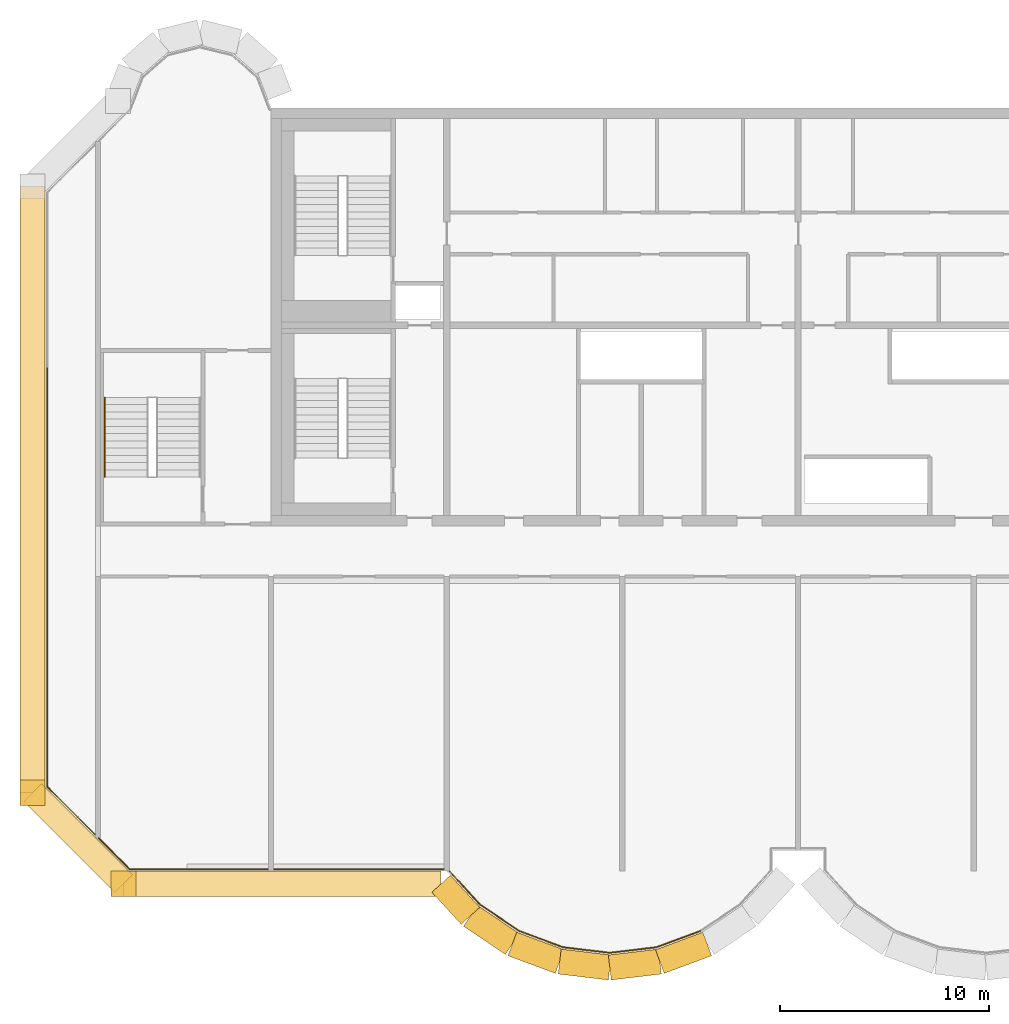
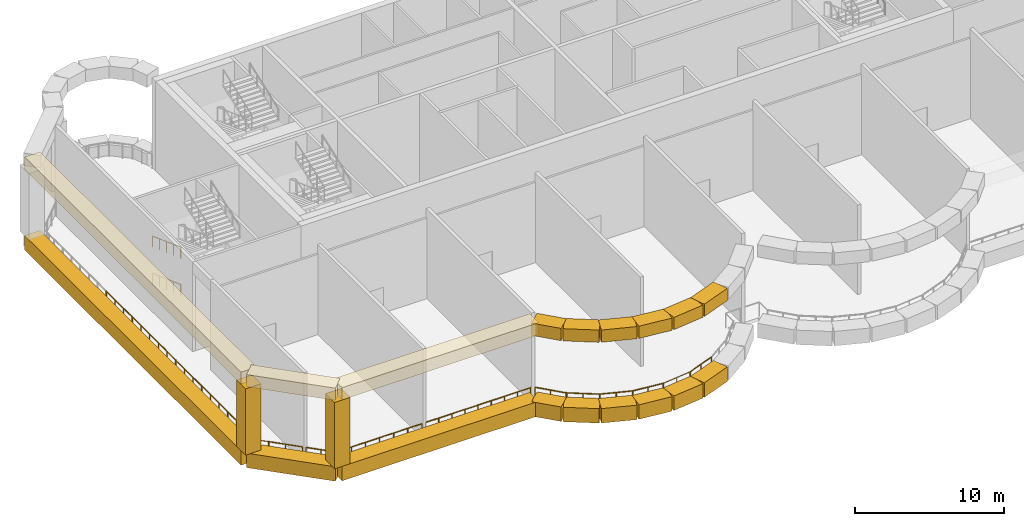
# One storey, part 6 of 11: 26 railings, 20 coverings.
"""IFC4 building model written with IfcOpenShell, lengths in metres."""

from ifc_helpers import new_model, si_unit, direction, frame, origin, origin_2d, place, context, subcontext, project, spatial, rectangle, circle, extrude, source, transform, mapped, material, type_object, element, save


model = new_model("IFC4")

# Units and contexts
model_context = context("Model", 3, precision=1e-05, world=origin(), true_north=direction((0.0, 1.0)))
body_context = subcontext(model_context, "Body", "Model", "MODEL_VIEW")
ifc_project = project(units=[si_unit("LENGTHUNIT", "METRE"), si_unit("AREAUNIT", "SQUARE_METRE"), si_unit("VOLUMEUNIT", "CUBIC_METRE"), si_unit("PLANEANGLEUNIT", "RADIAN"), si_unit("MASSUNIT", "GRAM", prefix="KILO")], contexts=[model_context])

# Site, building, storey
site_placement = place(None, origin())
site = spatial("IfcSite", under=ifc_project, at=site_placement, CompositionType="ELEMENT")
building_placement = place(site_placement, origin())
building = spatial("IfcBuilding", under=site, at=building_placement, Name="Vanashikhar Sky Hotel", CompositionType="ELEMENT")
storey_placement = place(building_placement, frame((0.0, 0.0, 270.10009765625)))
storey = spatial("IfcBuildingStorey", under=building, at=storey_placement, Name="L65", CompositionType="ELEMENT", Elevation=270.10009765625)

# Coverings
ifc_material_1 = material(Name="Concrete M60 dark", Category="concrete")
covering_type = type_object("IfcCoveringType", Name="Wind floor portal frame", PredefinedType="CLADDING", material=ifc_material_1)
shared_shape_1 = source(origin(), body_context, "Body", "SweptSolid", [
    extrude(rectangle(XDim=15.184326171875, YDim=1.199951171875, at=origin_2d()), origin(), (0.0, 0.0, 1.0), 1.0),
])
covering_1_placement = place(storey_placement, frame((25.74365234375, 4.89990234375, 6.31982421875), z_axis=(0.0, 0.0, 1.0), x_axis=(1.0, 0.0, 0.0)))
element("IfcCovering", 1, at=covering_1_placement, inside=storey, type_object=covering_type, Name="Portal frame head", PredefinedType="CLADDING", context=body_context, shape_type="MappedRepresentation", body=[
    mapped(shared_shape_1, transform((0.0, 0.0, 0.0), scale=1.0)),
])
shared_shape_2 = source(origin(), body_context, "Body", "SweptSolid", [
    extrude(rectangle(XDim=15.184326171875, YDim=1.199951171875, at=origin_2d()), origin(), (0.0, 0.0, 1.0), 1.179931640625),
])
covering_2_placement = place(storey_placement, frame((25.74365234375, 4.89990234375, -0.2802734375), z_axis=(0.0, 0.0, 1.0), x_axis=(1.0, 0.0, 0.0)))
element("IfcCovering", 2, at=covering_2_placement, inside=storey, type_object=covering_type, Name="Portal frame sill", PredefinedType="CLADDING", context=body_context, shape_type="MappedRepresentation", body=[
    mapped(shared_shape_2, transform((0.0, 0.0, 0.0), scale=1.0)),
])
shared_shape_3 = source(origin(), body_context, "Body", "SweptSolid", [
    extrude(rectangle(XDim=2.0771484375, YDim=1.199951171875, at=origin_2d()), origin(), (0.0, 0.0, 1.0), 1.0),
])
covering_3_placement = place(storey_placement, frame((34.037353515625, 4.134033203125, 6.31982421875), z_axis=(0.0, 0.0, 1.0), x_axis=(0.67534568005, -0.737501330465, 0.0)))
element("IfcCovering", 3, at=covering_3_placement, inside=storey, type_object=covering_type, Name="Portal frame head", PredefinedType="CLADDING", context=body_context, shape_type="MappedRepresentation", body=[
    mapped(shared_shape_3, transform((0.0, 0.0, 0.0), scale=1.0)),
])
shared_shape_4 = source(origin(), body_context, "Body", "SweptSolid", [
    extrude(rectangle(XDim=2.0771484375, YDim=1.199951171875, at=origin_2d()), origin(), (0.0, 0.0, 1.0), 1.179931640625),
])
covering_4_placement = place(storey_placement, frame((34.037353515625, 4.134033203125, -0.2802734375), z_axis=(0.0, 0.0, 1.0), x_axis=(0.67534568005, -0.737501330465, 0.0)))
element("IfcCovering", 4, at=covering_4_placement, inside=storey, type_object=covering_type, Name="Portal frame sill", PredefinedType="CLADDING", context=body_context, shape_type="MappedRepresentation", body=[
    mapped(shared_shape_4, transform((0.0, 0.0, 0.0), scale=1.0)),
])
shared_shape_5 = source(origin(), body_context, "Body", "SweptSolid", [
    extrude(rectangle(XDim=2.413818359375, YDim=1.199951171875, at=origin_2d()), origin(), (0.0, 0.0, 1.0), 1.0),
])
for number, where, z_axis, x_axis, name in (
    (5, (35.739990234375, 2.694091796875, 6.31982421875), (0.0, 0.0, 1.0), (0.829603213612, -0.558353389857, 0.0), "Portal frame head"),
    (6, (37.872802734375, 1.6005859375, 6.31982421875), (0.0, 0.0, 1.0), (0.937531182424, -0.347901253208, 0.0), "Portal frame head"),
    (7, (44.92724609375, 1.6005859375, 6.31982421875), (0.0, 0.0, 1.0), (0.937531182424, 0.347901253208, 0.0), "Portal frame head"),
):
    element("IfcCovering", number, at=place(storey_placement, frame(where, z_axis=z_axis, x_axis=x_axis)), inside=storey, type_object=covering_type, Name=name, PredefinedType="CLADDING", context=body_context, shape_type="MappedRepresentation", body=[
        mapped(shared_shape_5, transform((0.0, 0.0, 0.0), scale=1.0)),
    ])
shared_shape_6 = source(origin(), body_context, "Body", "SweptSolid", [
    extrude(rectangle(XDim=2.413818359375, YDim=1.199951171875, at=origin_2d()), origin(), (0.0, 0.0, 1.0), 1.179931640625),
])
for number, where, z_axis, x_axis, name in (
    (8, (35.739990234375, 2.694091796875, -0.2802734375), (0.0, 0.0, 1.0), (0.829603213612, -0.558353389857, 0.0), "Portal frame sill"),
    (9, (37.872802734375, 1.6005859375, -0.2802734375), (0.0, 0.0, 1.0), (0.937531182424, -0.347901253208, 0.0), "Portal frame sill"),
    (10, (44.92724609375, 1.6005859375, -0.2802734375), (0.0, 0.0, 1.0), (0.937531182424, 0.347901253208, 0.0), "Portal frame sill"),
):
    element("IfcCovering", number, at=place(storey_placement, frame(where, z_axis=z_axis, x_axis=x_axis)), inside=storey, type_object=covering_type, Name=name, PredefinedType="CLADDING", context=body_context, shape_type="MappedRepresentation", body=[
        mapped(shared_shape_6, transform((0.0, 0.0, 0.0), scale=1.0)),
    ])
shared_shape_7 = source(origin(), body_context, "Body", "SweptSolid", [
    extrude(rectangle(XDim=2.41259765625, YDim=1.199951171875, at=origin_2d()), origin(), (0.0, 0.0, 1.0), 1.0),
])
for number, where, z_axis, x_axis, name in (
    (11, (40.2021484375, 1.0380859375, 6.31982421875), (0.0, 0.0, 1.0), (0.993008838731, -0.118040019495, 0.0), "Portal frame head"),
    (12, (42.597900390625, 1.0380859375, 6.31982421875), (0.0, 0.0, 1.0), (0.993008838731, 0.118040019495, 0.0), "Portal frame head"),
):
    element("IfcCovering", number, at=place(storey_placement, frame(where, z_axis=z_axis, x_axis=x_axis)), inside=storey, type_object=covering_type, Name=name, PredefinedType="CLADDING", context=body_context, shape_type="MappedRepresentation", body=[
        mapped(shared_shape_7, transform((0.0, 0.0, 0.0), scale=1.0)),
    ])
shared_shape_8 = source(origin(), body_context, "Body", "SweptSolid", [
    extrude(rectangle(XDim=2.41259765625, YDim=1.199951171875, at=origin_2d()), origin(), (0.0, 0.0, 1.0), 1.179931640625),
])
for number, where, z_axis, x_axis, name in (
    (13, (40.2021484375, 1.0380859375, -0.2802734375), (0.0, 0.0, 1.0), (0.993008838731, -0.118040019495, 0.0), "Portal frame sill"),
    (14, (42.597900390625, 1.0380859375, -0.2802734375), (0.0, 0.0, 1.0), (0.993008838731, 0.118040019495, 0.0), "Portal frame sill"),
):
    element("IfcCovering", number, at=place(storey_placement, frame(where, z_axis=z_axis, x_axis=x_axis)), inside=storey, type_object=covering_type, Name=name, PredefinedType="CLADDING", context=body_context, shape_type="MappedRepresentation", body=[
        mapped(shared_shape_8, transform((0.0, 0.0, 0.0), scale=1.0)),
    ])
shared_shape_9 = source(origin(), body_context, "Body", "SweptSolid", [
    extrude(rectangle(XDim=6.154052734375, YDim=1.199951171875, at=origin_2d()), origin(), (0.0, 0.0, 1.0), 1.0),
])
covering_5_placement = place(storey_placement, frame((15.9755859375, 7.07568359375, 6.31982421875), z_axis=(0.0, 0.0, 1.0), x_axis=(0.707106781187, -0.707106781187, 0.0)))
element("IfcCovering", 15, at=covering_5_placement, inside=storey, type_object=covering_type, Name="Portal frame head", PredefinedType="CLADDING", context=body_context, shape_type="MappedRepresentation", body=[
    mapped(shared_shape_9, transform((0.0, 0.0, 0.0), scale=1.0)),
])
shared_shape_10 = source(origin(), body_context, "Body", "SweptSolid", [
    extrude(rectangle(XDim=28.9970703125, YDim=1.199951171875, at=origin_2d()), origin(), (0.0, 0.0, 1.0), 1.0),
])
covering_6_placement = place(storey_placement, frame((13.800048828125, 23.75, 6.31982421875), z_axis=(0.0, 0.0, 1.0), x_axis=(0.0, -1.0, 0.0)))
element("IfcCovering", 16, at=covering_6_placement, inside=storey, type_object=covering_type, Name="Portal frame head", PredefinedType="CLADDING", context=body_context, shape_type="MappedRepresentation", body=[
    mapped(shared_shape_10, transform((0.0, 0.0, 0.0), scale=1.0)),
])
shared_shape_11 = source(origin(), body_context, "Body", "SweptSolid", [
    extrude(rectangle(XDim=1.199951171875, YDim=1.199951171875, at=origin_2d()), origin(), (0.0, 0.0, 1.0), 5.419921875),
])
for number, where, z_axis, x_axis, name in (
    (17, (13.800048828125, 9.25146484375, 0.89990234375), (0.0, 0.0, 1.0), (1.0, 0.0, 0.0), "Portal frame jamb"),
    (18, (18.151611328125, 4.89990234375, 0.89990234375), (0.0, 0.0, 1.0), (1.0, 0.0, 0.0), "Portal frame jamb"),
):
    element("IfcCovering", number, at=place(storey_placement, frame(where, z_axis=z_axis, x_axis=x_axis)), inside=storey, type_object=covering_type, Name=name, PredefinedType="CLADDING", context=body_context, shape_type="MappedRepresentation", body=[
        mapped(shared_shape_11, transform((0.0, 0.0, 0.0), scale=1.0)),
    ])

# Railings
ifc_material_2 = material(Name="Stainless steel 316", Category="steel")
railing_type_1 = type_object("IfcRailingType", Name="Open edge guard 1200", PredefinedType="GUARDRAIL", material=ifc_material_2)
shared_shape_12 = source(origin(), body_context, "Body", "SweptSolid", [
    extrude(circle(Radius=0.02392578125, at=origin_2d()), frame((0.0, 0.0, 1.17578125), z_axis=(-0.707106781187, 0.707106781187, 0.0), x_axis=(-0.707106781187, -0.707106781187, 0.0)), (0.0, 0.0, 1.0), 2.32421875),
    extrude(circle(Radius=0.02099609375, at=origin_2d()), origin(), (0.0, 0.0, 1.0), 1.15185546875),
    extrude(circle(Radius=0.02099609375, at=origin_2d()), frame((-0.82177734375, 0.82177734375, 0.0)), (0.0, 0.0, 1.0), 1.15185546875),
    extrude(circle(Radius=0.02099609375, at=origin_2d()), frame((-1.6435546875, 1.6435546875, 0.0)), (0.0, 0.0, 1.0), 1.15185546875),
])
railing_1_placement = place(storey_placement, frame((16.780029296875, 7.261474609375, 0.0)))
element("IfcRailing", 19, at=railing_1_placement, inside=storey, type_object=railing_type_1, Name="Open edge guard", PredefinedType="GUARDRAIL", context=body_context, shape_type="MappedRepresentation", body=[
    mapped(shared_shape_12, transform((0.0, 0.0, 0.0), scale=1.0)),
])
shared_shape_13 = source(origin(), body_context, "Body", "SweptSolid", [
    extrude(circle(Radius=0.02392578125, at=origin_2d()), frame((0.0, 0.0, 1.17578125), z_axis=(-0.707106781187, 0.707106781187, 0.0), x_axis=(-0.707106781187, -0.707106781187, 0.0)), (0.0, 0.0, 1.0), 0.900146484375),
    extrude(circle(Radius=0.02392578125, at=origin_2d()), frame((-0.636474609375, 0.636474609375, 1.17578125), z_axis=(0.0, 1.0, 0.0), x_axis=(-1.0, 0.0, 0.0)), (0.0, 0.0, 1.0), 1.42431640625),
    extrude(circle(Radius=0.02099609375, at=origin_2d()), origin(), (0.0, 0.0, 1.0), 1.15185546875),
    extrude(circle(Radius=0.02099609375, at=origin_2d()), frame((-0.636474609375, 0.636474609375, 0.0)), (0.0, 0.0, 1.0), 1.15185546875),
    extrude(circle(Radius=0.02099609375, at=origin_2d()), frame((-0.636474609375, 1.3486328125, 0.0)), (0.0, 0.0, 1.0), 1.15185546875),
    extrude(circle(Radius=0.02099609375, at=origin_2d()), frame((-0.636474609375, 2.060791015625, 0.0)), (0.0, 0.0, 1.0), 1.15185546875),
])
railing_2_placement = place(storey_placement, frame((15.136474609375, 8.905029296875, 0.0)))
element("IfcRailing", 20, at=railing_2_placement, inside=storey, type_object=railing_type_1, Name="Open edge guard", PredefinedType="GUARDRAIL", context=body_context, shape_type="MappedRepresentation", body=[
    mapped(shared_shape_13, transform((0.0, 0.0, 0.0), scale=1.0)),
])
shared_shape_14 = source(origin(), body_context, "Body", "SweptSolid", [
    extrude(circle(Radius=0.02392578125, at=origin_2d()), frame((0.0, 0.0, 1.17578125), z_axis=(0.0, 1.0, 0.0), x_axis=(-1.0, 0.0, 0.0)), (0.0, 0.0, 1.0), 2.324462890625),
    extrude(circle(Radius=0.02099609375, at=origin_2d()), origin(), (0.0, 0.0, 1.0), 1.15185546875),
    extrude(circle(Radius=0.02099609375, at=origin_2d()), frame((0.0, 1.162109375, 0.0)), (0.0, 0.0, 1.0), 1.15185546875),
    extrude(circle(Radius=0.02099609375, at=origin_2d()), frame((0.0, 2.324462890625, 0.0)), (0.0, 0.0, 1.0), 1.15185546875),
])
for number, where, name in (
    (21, (14.5, 10.9658203125, 0.0), "Open edge guard"),
    (22, (14.5, 15.614501953125, 0.0), "Open edge guard"),
    (23, (14.5, 17.93896484375, 0.0), "Open edge guard"),
    (24, (14.5, 20.263427734375, 0.0), "Open edge guard"),
    (25, (14.5, 24.912109375, 0.0), "Open edge guard"),
    (26, (14.5, 27.236572265625, 0.0), "Open edge guard"),
):
    element("IfcRailing", number, at=place(storey_placement, frame(where)), inside=storey, type_object=railing_type_1, Name=name, PredefinedType="GUARDRAIL", context=body_context, shape_type="MappedRepresentation", body=[
        mapped(shared_shape_14, transform((0.0, 0.0, 0.0), scale=1.0)),
    ])
shared_shape_15 = source(origin(), body_context, "Body", "SweptSolid", [
    extrude(circle(Radius=0.02392578125, at=origin_2d()), frame((0.0, 0.0, 1.17578125), z_axis=(0.0, 1.0, 0.0), x_axis=(-1.0, 0.0, 0.0)), (0.0, 0.0, 1.0), 2.32421875),
    extrude(circle(Radius=0.02099609375, at=origin_2d()), origin(), (0.0, 0.0, 1.0), 1.15185546875),
    extrude(circle(Radius=0.02099609375, at=origin_2d()), frame((0.0, 1.162109375, 0.0)), (0.0, 0.0, 1.0), 1.15185546875),
    extrude(circle(Radius=0.02099609375, at=origin_2d()), frame((0.0, 2.32421875, 0.0)), (0.0, 0.0, 1.0), 1.15185546875),
])
for number, where, name in (
    (27, (14.5, 13.290283203125, 0.0), "Open edge guard"),
    (28, (14.5, 22.587890625, 0.0), "Open edge guard"),
):
    element("IfcRailing", number, at=place(storey_placement, frame(where)), inside=storey, type_object=railing_type_1, Name=name, PredefinedType="GUARDRAIL", context=body_context, shape_type="MappedRepresentation", body=[
        mapped(shared_shape_15, transform((0.0, 0.0, 0.0), scale=1.0)),
    ])
shared_shape_16 = source(origin(), body_context, "Body", "SweptSolid", [
    extrude(circle(Radius=0.02392578125, at=origin_2d()), frame((0.0, 0.0, 1.17578125), z_axis=(-1.0, 0.0, 0.0), x_axis=(0.0, -1.0, 0.0)), (0.0, 0.0, 1.0), 2.176513671875),
    extrude(circle(Radius=0.02099609375, at=origin_2d()), origin(), (0.0, 0.0, 1.0), 1.15185546875),
    extrude(circle(Radius=0.02099609375, at=origin_2d()), frame((-1.08837890625, 0.0, 0.0)), (0.0, 0.0, 1.0), 1.15185546875),
    extrude(circle(Radius=0.02099609375, at=origin_2d()), frame((-2.176513671875, 0.0, 0.0)), (0.0, 0.0, 1.0), 1.15185546875),
])
railing_3_placement = place(storey_placement, frame((25.054931640625, 5.60009765625, 0.0)))
element("IfcRailing", 29, at=railing_3_placement, inside=storey, type_object=railing_type_1, Name="Open edge guard", PredefinedType="GUARDRAIL", context=body_context, shape_type="MappedRepresentation", body=[
    mapped(shared_shape_16, transform((0.0, 0.0, 0.0), scale=1.0)),
])
shared_shape_17 = source(origin(), body_context, "Body", "SweptSolid", [
    extrude(circle(Radius=0.02392578125, at=origin_2d()), frame((0.0, 0.0, 1.17578125), z_axis=(-1.0, 0.0, 0.0), x_axis=(0.0, -1.0, 0.0)), (0.0, 0.0, 1.0), 2.1767578125),
    extrude(circle(Radius=0.02099609375, at=origin_2d()), origin(), (0.0, 0.0, 1.0), 1.15185546875),
    extrude(circle(Radius=0.02099609375, at=origin_2d()), frame((-1.08837890625, 0.0, 0.0)), (0.0, 0.0, 1.0), 1.15185546875),
    extrude(circle(Radius=0.02099609375, at=origin_2d()), frame((-2.1767578125, 0.0, 0.0)), (0.0, 0.0, 1.0), 1.15185546875),
])
for number, where, name in (
    (30, (22.87841796875, 5.60009765625, 0.0), "Open edge guard"),
    (31, (20.70166015625, 5.60009765625, 0.0), "Open edge guard"),
):
    element("IfcRailing", number, at=place(storey_placement, frame(where)), inside=storey, type_object=railing_type_1, Name=name, PredefinedType="GUARDRAIL", context=body_context, shape_type="MappedRepresentation", body=[
        mapped(shared_shape_17, transform((0.0, 0.0, 0.0), scale=1.0)),
    ])
shared_shape_18 = source(origin(), body_context, "Body", "SweptSolid", [
    extrude(circle(Radius=0.02392578125, at=origin_2d()), frame((0.0, 0.0, 1.17578125), z_axis=(-1.0, 0.0, 0.0), x_axis=(0.0, -1.0, 0.0)), (0.0, 0.0, 1.0), 0.08349609375),
    extrude(circle(Radius=0.02392578125, at=origin_2d()), frame((-0.08349609375, 0.0, 1.17578125), z_axis=(-0.707106781187, 0.707106781187, 0.0), x_axis=(-0.707106781187, -0.707106781187, 0.0)), (0.0, 0.0, 1.0), 2.093017578125),
    extrude(circle(Radius=0.02099609375, at=origin_2d()), origin(), (0.0, 0.0, 1.0), 1.15185546875),
    extrude(circle(Radius=0.02099609375, at=origin_2d()), frame((-0.08349609375, 0.0, 0.0)), (0.0, 0.0, 1.0), 1.15185546875),
    extrude(circle(Radius=0.02099609375, at=origin_2d()), frame((-0.823486328125, 0.739990234375, 0.0)), (0.0, 0.0, 1.0), 1.15185546875),
    extrude(circle(Radius=0.02099609375, at=origin_2d()), frame((-1.5634765625, 1.47998046875, 0.0)), (0.0, 0.0, 1.0), 1.15185546875),
])
railing_4_placement = place(storey_placement, frame((18.52490234375, 5.60009765625, 0.0)))
element("IfcRailing", 32, at=railing_4_placement, inside=storey, type_object=railing_type_1, Name="Open edge guard", PredefinedType="GUARDRAIL", context=body_context, shape_type="MappedRepresentation", body=[
    mapped(shared_shape_18, transform((0.0, 0.0, 0.0), scale=1.0)),
])
shared_shape_19 = source(origin(), body_context, "Body", "SweptSolid", [
    extrude(circle(Radius=0.02392578125, at=origin_2d()), frame((0.0, 0.0, 1.17578125), z_axis=(-1.0, 0.0, 0.0), x_axis=(0.0, -1.0, 0.0)), (0.0, 0.0, 1.0), 2.027587890625),
    extrude(circle(Radius=0.02099609375, at=origin_2d()), origin(), (0.0, 0.0, 1.0), 1.15185546875),
    extrude(circle(Radius=0.02099609375, at=origin_2d()), frame((-1.013671875, 0.0, 0.0)), (0.0, 0.0, 1.0), 1.15185546875),
    extrude(circle(Radius=0.02099609375, at=origin_2d()), frame((-2.027587890625, 0.0, 0.0)), (0.0, 0.0, 1.0), 1.15185546875),
])
for number, where, name in (
    (33, (33.455078125, 5.60009765625, 0.0), "Open edge guard"),
    (34, (31.427490234375, 5.60009765625, 0.0), "Open edge guard"),
    (35, (27.37255859375, 5.60009765625, 0.0), "Open edge guard"),
):
    element("IfcRailing", number, at=place(storey_placement, frame(where)), inside=storey, type_object=railing_type_1, Name=name, PredefinedType="GUARDRAIL", context=body_context, shape_type="MappedRepresentation", body=[
        mapped(shared_shape_19, transform((0.0, 0.0, 0.0), scale=1.0)),
    ])
shared_shape_20 = source(origin(), body_context, "Body", "SweptSolid", [
    extrude(circle(Radius=0.02392578125, at=origin_2d()), frame((0.0, 0.0, 1.17578125), z_axis=(-1.0, 0.0, 0.0), x_axis=(0.0, -1.0, 0.0)), (0.0, 0.0, 1.0), 2.02734375),
    extrude(circle(Radius=0.02099609375, at=origin_2d()), origin(), (0.0, 0.0, 1.0), 1.15185546875),
    extrude(circle(Radius=0.02099609375, at=origin_2d()), frame((-1.013671875, 0.0, 0.0)), (0.0, 0.0, 1.0), 1.15185546875),
    extrude(circle(Radius=0.02099609375, at=origin_2d()), frame((-2.02734375, 0.0, 0.0)), (0.0, 0.0, 1.0), 1.15185546875),
])
railing_5_placement = place(storey_placement, frame((29.39990234375, 5.60009765625, 0.0)))
element("IfcRailing", 36, at=railing_5_placement, inside=storey, type_object=railing_type_1, Name="Open edge guard", PredefinedType="GUARDRAIL", context=body_context, shape_type="MappedRepresentation", body=[
    mapped(shared_shape_20, transform((0.0, 0.0, 0.0), scale=1.0)),
])
shared_shape_21 = source(origin(), body_context, "Body", "SweptSolid", [
    extrude(circle(Radius=0.02392578125, at=origin_2d()), frame((0.0, 0.0, 1.17578125), z_axis=(-0.937480393126, -0.348038090593, 0.0), x_axis=(0.348038090593, -0.937480393126, 0.0)), (0.0, 0.0, 1.0), 2.22998046875),
    extrude(circle(Radius=0.02099609375, at=origin_2d()), origin(), (0.0, 0.0, 1.0), 1.15185546875),
    extrude(circle(Radius=0.02099609375, at=origin_2d()), frame((-1.04541015625, -0.38818359375, 0.0)), (0.0, 0.0, 1.0), 1.15185546875),
    extrude(circle(Radius=0.02099609375, at=origin_2d()), frame((-2.090576171875, -0.776123046875, 0.0)), (0.0, 0.0, 1.0), 1.15185546875),
])
railing_6_placement = place(storey_placement, frame((45.7294921875, 2.64501953125, 0.0)))
element("IfcRailing", 37, at=railing_6_placement, inside=storey, type_object=railing_type_1, Name="Open edge guard", PredefinedType="GUARDRAIL", context=body_context, shape_type="MappedRepresentation", body=[
    mapped(shared_shape_21, transform((0.0, 0.0, 0.0), scale=1.0)),
])
shared_shape_22 = source(origin(), body_context, "Body", "SweptSolid", [
    extrude(circle(Radius=0.02392578125, at=origin_2d()), frame((0.0, 0.0, 1.17578125), z_axis=(-0.945945945946, -0.324324324324, 0.0), x_axis=(0.324324324324, -0.945945945946, 0.0)), (0.0, 0.0, 1.0), 0.009033203125),
    extrude(circle(Radius=0.02392578125, at=origin_2d()), frame((-0.008544921875, -0.0029296875, 1.17578125), z_axis=(-0.99300730818, -0.118052894508, 0.0), x_axis=(0.118052894508, -0.99300730818, 0.0)), (0.0, 0.0, 1.0), 2.22119140625),
    extrude(circle(Radius=0.02099609375, at=origin_2d()), origin(), (0.0, 0.0, 1.0), 1.15185546875),
    extrude(circle(Radius=0.02099609375, at=origin_2d()), frame((-0.008544921875, -0.0029296875, 0.0)), (0.0, 0.0, 1.0), 1.15185546875),
    extrude(circle(Radius=0.02099609375, at=origin_2d()), frame((-1.111328125, -0.134033203125, 0.0)), (0.0, 0.0, 1.0), 1.15185546875),
    extrude(circle(Radius=0.02099609375, at=origin_2d()), frame((-2.214111328125, -0.26513671875, 0.0)), (0.0, 0.0, 1.0), 1.15185546875),
])
railing_7_placement = place(storey_placement, frame((43.638916015625, 1.868896484375, 0.0)))
element("IfcRailing", 38, at=railing_7_placement, inside=storey, type_object=railing_type_1, Name="Open edge guard", PredefinedType="GUARDRAIL", context=body_context, shape_type="MappedRepresentation", body=[
    mapped(shared_shape_22, transform((0.0, 0.0, 0.0), scale=1.0)),
])
shared_shape_23 = source(origin(), body_context, "Body", "SweptSolid", [
    extrude(circle(Radius=0.02392578125, at=origin_2d()), frame((0.0, 0.0, 1.17578125), z_axis=(-0.991975750475, -0.126428281923, 0.0), x_axis=(0.126428281923, -0.991975750475, 0.0)), (0.0, 0.0, 1.0), 0.025146484375),
    extrude(circle(Radius=0.02392578125, at=origin_2d()), frame((-0.02490234375, -0.003173828125, 1.17578125), z_axis=(-0.99299786329, 0.118132313539, 0.0), x_axis=(-0.118132313539, -0.99299786329, 0.0)), (0.0, 0.0, 1.0), 2.205078125),
    extrude(circle(Radius=0.02099609375, at=origin_2d()), origin(), (0.0, 0.0, 1.0), 1.15185546875),
    extrude(circle(Radius=0.02099609375, at=origin_2d()), frame((-0.02490234375, -0.003173828125, 0.0)), (0.0, 0.0, 1.0), 1.15185546875),
    extrude(circle(Radius=0.02099609375, at=origin_2d()), frame((-1.11962890625, 0.126953125, 0.0)), (0.0, 0.0, 1.0), 1.15185546875),
    extrude(circle(Radius=0.02099609375, at=origin_2d()), frame((-2.214599609375, 0.25732421875, 0.0)), (0.0, 0.0, 1.0), 1.15185546875),
])
railing_8_placement = place(storey_placement, frame((41.4248046875, 1.603759765625, 0.0)))
element("IfcRailing", 39, at=railing_8_placement, inside=storey, type_object=railing_type_1, Name="Open edge guard", PredefinedType="GUARDRAIL", context=body_context, shape_type="MappedRepresentation", body=[
    mapped(shared_shape_23, transform((0.0, 0.0, 0.0), scale=1.0)),
])
shared_shape_24 = source(origin(), body_context, "Body", "SweptSolid", [
    extrude(circle(Radius=0.02392578125, at=origin_2d()), frame((0.0, 0.0, 1.17578125), z_axis=(-0.992820125401, 0.119616882578, 0.0), x_axis=(-0.119616882578, -0.992820125401, 0.0)), (0.0, 0.0, 1.0), 0.040771484375),
    extrude(circle(Radius=0.02392578125, at=origin_2d()), frame((-0.04052734375, 0.0048828125, 1.17578125), z_axis=(-0.937556246684, 0.347833702082, 0.0), x_axis=(-0.347833702082, -0.937556246684, 0.0)), (0.0, 0.0, 1.0), 2.189208984375),
    extrude(circle(Radius=0.02099609375, at=origin_2d()), origin(), (0.0, 0.0, 1.0), 1.15185546875),
    extrude(circle(Radius=0.02099609375, at=origin_2d()), frame((-0.04052734375, 0.0048828125, 0.0)), (0.0, 0.0, 1.0), 1.15185546875),
    extrude(circle(Radius=0.02099609375, at=origin_2d()), frame((-1.06689453125, 0.3857421875, 0.0)), (0.0, 0.0, 1.0), 1.15185546875),
    extrude(circle(Radius=0.02099609375, at=origin_2d()), frame((-2.093017578125, 0.766357421875, 0.0)), (0.0, 0.0, 1.0), 1.15185546875),
])
railing_9_placement = place(storey_placement, frame((39.210205078125, 1.861083984375, 0.0)))
element("IfcRailing", 40, at=railing_9_placement, inside=storey, type_object=railing_type_1, Name="Open edge guard", PredefinedType="GUARDRAIL", context=body_context, shape_type="MappedRepresentation", body=[
    mapped(shared_shape_24, transform((0.0, 0.0, 0.0), scale=1.0)),
])
shared_shape_25 = source(origin(), body_context, "Body", "SweptSolid", [
    extrude(circle(Radius=0.02392578125, at=origin_2d()), frame((0.0, 0.0, 1.17578125), z_axis=(-0.936675509308, 0.350198501228, 0.0), x_axis=(-0.350198501228, -0.936675509308, 0.0)), (0.0, 0.0, 1.0), 0.057861328125),
    extrude(circle(Radius=0.02392578125, at=origin_2d()), frame((-0.05419921875, 0.020263671875, 1.17578125), z_axis=(-0.829586746391, 0.558377856127, 0.0), x_axis=(-0.558377856127, -0.829586746391, 0.0)), (0.0, 0.0, 1.0), 2.172119140625),
    extrude(circle(Radius=0.02099609375, at=origin_2d()), origin(), (0.0, 0.0, 1.0), 1.15185546875),
    extrude(circle(Radius=0.02099609375, at=origin_2d()), frame((-0.05419921875, 0.020263671875, 0.0)), (0.0, 0.0, 1.0), 1.15185546875),
    extrude(circle(Radius=0.02099609375, at=origin_2d()), frame((-0.955078125, 0.626708984375, 0.0)), (0.0, 0.0, 1.0), 1.15185546875),
    extrude(circle(Radius=0.02099609375, at=origin_2d()), frame((-1.856201171875, 1.233154296875, 0.0)), (0.0, 0.0, 1.0), 1.15185546875),
])
railing_10_placement = place(storey_placement, frame((37.1171875, 2.62744140625, 0.0)))
element("IfcRailing", 41, at=railing_10_placement, inside=storey, type_object=railing_type_1, Name="Open edge guard", PredefinedType="GUARDRAIL", context=body_context, shape_type="MappedRepresentation", body=[
    mapped(shared_shape_25, transform((0.0, 0.0, 0.0), scale=1.0)),
])
shared_shape_26 = source(origin(), body_context, "Body", "SweptSolid", [
    extrude(circle(Radius=0.02392578125, at=origin_2d()), frame((0.0, 0.0, 1.17578125), z_axis=(-0.830543991919, 0.556953029875, 0.0), x_axis=(-0.556953029875, -0.830543991919, 0.0)), (0.0, 0.0, 1.0), 0.074951171875),
    extrude(circle(Radius=0.02392578125, at=origin_2d()), frame((-0.062255859375, 0.041748046875, 1.17578125), z_axis=(-0.675385994332, 0.737464411792, 0.0), x_axis=(-0.737464411792, -0.675385994332, 0.0)), (0.0, 0.0, 1.0), 2.1552734375),
    extrude(circle(Radius=0.02099609375, at=origin_2d()), origin(), (0.0, 0.0, 1.0), 1.15185546875),
    extrude(circle(Radius=0.02099609375, at=origin_2d()), frame((-0.062255859375, 0.041748046875, 0.0)), (0.0, 0.0, 1.0), 1.15185546875),
    extrude(circle(Radius=0.02099609375, at=origin_2d()), frame((-0.7900390625, 0.83642578125, 0.0)), (0.0, 0.0, 1.0), 1.15185546875),
    extrude(circle(Radius=0.02099609375, at=origin_2d()), frame((-1.517822265625, 1.631103515625, 0.0)), (0.0, 0.0, 1.0), 1.15185546875),
])
railing_11_placement = place(storey_placement, frame((35.260986328125, 3.860595703125, 0.0)))
element("IfcRailing", 42, at=railing_11_placement, inside=storey, type_object=railing_type_1, Name="Open edge guard", PredefinedType="GUARDRAIL", context=body_context, shape_type="MappedRepresentation", body=[
    mapped(shared_shape_26, transform((0.0, 0.0, 0.0), scale=1.0)),
])

# Coverings
shared_shape_27 = source(origin(), body_context, "Body", "SweptSolid", [
    extrude(rectangle(XDim=6.154052734375, YDim=1.199951171875, at=origin_2d()), origin(), (0.0, 0.0, 1.0), 1.179931640625),
])
covering_7_placement = place(storey_placement, frame((15.9755859375, 7.07568359375, -0.2802734375), z_axis=(0.0, 0.0, 1.0), x_axis=(0.707106781187, -0.707106781187, 0.0)))
element("IfcCovering", 43, at=covering_7_placement, inside=storey, type_object=covering_type, Name="Portal frame sill", PredefinedType="CLADDING", context=body_context, shape_type="MappedRepresentation", body=[
    mapped(shared_shape_27, transform((0.0, 0.0, 0.0), scale=1.0)),
])
shared_shape_28 = source(origin(), body_context, "Body", "SweptSolid", [
    extrude(rectangle(XDim=28.9970703125, YDim=1.199951171875, at=origin_2d()), origin(), (0.0, 0.0, 1.0), 1.179931640625),
])
covering_8_placement = place(storey_placement, frame((13.800048828125, 23.75, -0.2802734375), z_axis=(0.0, 0.0, 1.0), x_axis=(0.0, -1.0, 0.0)))
element("IfcCovering", 44, at=covering_8_placement, inside=storey, type_object=covering_type, Name="Portal frame sill", PredefinedType="CLADDING", context=body_context, shape_type="MappedRepresentation", body=[
    mapped(shared_shape_28, transform((0.0, 0.0, 0.0), scale=1.0)),
])

# Railings
ifc_material_3 = material(Name="Steel S355", Category="steel")
railing_type_2 = type_object("IfcRailingType", Name="Stair handrail 900", PredefinedType="HANDRAIL", material=ifc_material_3)
shared_shape_29 = source(origin(), body_context, "Body", "SweptSolid", [
    extrude(circle(Radius=0.02392578125, at=origin_2d()), frame((0.0, 0.0, 0.8759765625), z_axis=(0.0, -0.938872416375, 0.344265284005), x_axis=(1.0, 0.0, 0.0)), (0.0, 0.0, 1.0), 4.047119140625),
    extrude(circle(Radius=0.02099609375, at=origin_2d()), origin(), (0.0, 0.0, 1.0), 0.851806640625),
    extrude(circle(Radius=0.02099609375, at=origin_2d()), frame((0.0, -0.949951171875, 0.348388671875)), (0.0, 0.0, 1.0), 0.851806640625),
    extrude(circle(Radius=0.02099609375, at=origin_2d()), frame((0.0, -1.89990234375, 0.69677734375)), (0.0, 0.0, 1.0), 0.851806640625),
    extrude(circle(Radius=0.02099609375, at=origin_2d()), frame((0.0, -2.849853515625, 1.044921875)), (0.0, 0.0, 1.0), 0.851806640625),
    extrude(circle(Radius=0.02099609375, at=origin_2d()), frame((0.0, -3.7998046875, 1.393310546875)), (0.0, 0.0, 1.0), 0.851806640625),
])
for number, where, name in (
    (45, (17.25, 28.14990234375, 1.646484375), "Exit stair 3 handrail"),
    (46, (17.25, 28.14990234375, 4.6865234375), "Exit stair 3 handrail"),
):
    element("IfcRailing", number, at=place(storey_placement, frame(where)), inside=storey, type_object=railing_type_2, Name=name, PredefinedType="HANDRAIL", context=body_context, shape_type="MappedRepresentation", body=[
        mapped(shared_shape_29, transform((0.0, 0.0, 0.0), scale=1.0)),
    ])

save(model, "model.ifc")
